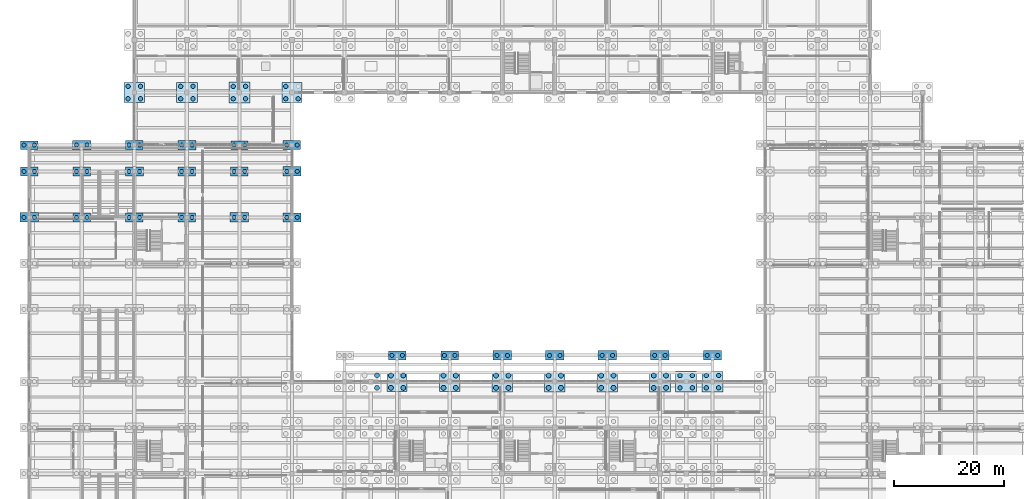
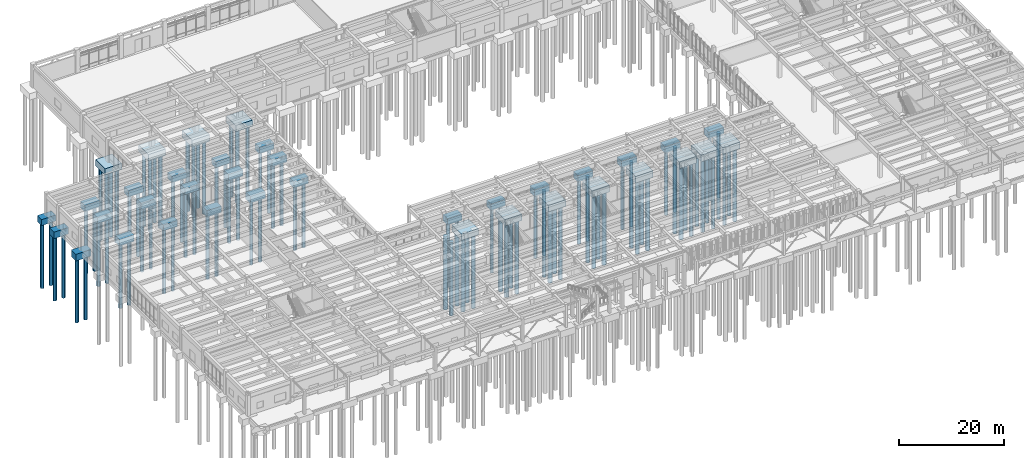
# One storey, part 4 of 102: 99 piles, 37 footings.
"""IFC4 building model written with IfcOpenShell, lengths in metres."""

from ifc_helpers import new_model, si_unit, direction, frame, origin, origin_2d, place, context, subcontext, project, spatial, rectangle, circle, extrude, material, material_profile, profile_set, type_object, element, save


model = new_model("IFC4")

# Units and contexts
model_context = context("Model", 3, precision=1e-05, world=origin(), true_north=direction((0.0, 1.0)))
body_context = subcontext(model_context, "Body", "Model", "MODEL_VIEW")
ifc_project = project(units=[si_unit("LENGTHUNIT", "METRE"), si_unit("AREAUNIT", "SQUARE_METRE"), si_unit("VOLUMEUNIT", "CUBIC_METRE"), si_unit("PLANEANGLEUNIT", "RADIAN"), si_unit("MASSUNIT", "GRAM", prefix="KILO")], contexts=[model_context])

# Site, building, storey
site_placement = place(None, origin())
site = spatial("IfcSite", under=ifc_project, at=site_placement, CompositionType="ELEMENT")
building_placement = place(site_placement, origin())
building = spatial("IfcBuilding", under=site, at=building_placement, Name="Kolvemor Railside Polytechnic", CompositionType="ELEMENT")
storey_placement = place(building_placement, origin())
storey = spatial("IfcBuildingStorey", under=building, at=storey_placement, Name="L00", CompositionType="ELEMENT", Elevation=0.0)

# Footings
ifc_material_1 = material(Name="Concrete C40/50", Category="concrete")
footing_type_1 = type_object("IfcFootingType", Name="FTG-PC-2P-A", PredefinedType="PILE_CAP", material=ifc_material_1)
for number, where, z_axis, x_axis, name in (
    (1, (0.0, 76.800048828125, -1.5), (0.0, 0.0, 1.0), (1.0, 0.0, 0.0), "Pile Cap PC-010"),
    (2, (9.60009765625, 68.39990234375, -1.5), (0.0, 0.0, 1.0), (1.0, 0.0, 0.0), "Pile Cap PC-020"),
    (3, (28.800048828125, 68.39990234375, -1.5), (0.0, 0.0, 1.0), (1.0, 0.0, 0.0), "Pile Cap PC-045"),
    (4, (38.39990234375, 76.800048828125, -1.5), (0.0, 0.0, 1.0), (1.0, 0.0, 0.0), "Pile Cap PC-060"),
    (5, (48.0, 81.60009765625, -1.5), (0.0, 0.0, 1.0), (1.0, 0.0, 0.0), "Pile Cap PC-075"),
    (6, (67.199951171875, 43.199951171875, -1.5), (0.0, 0.0, 1.0), (1.0, 0.0, 0.0), "Pile Cap PC-100"),
    (7, (76.800048828125, 43.199951171875, -1.5), (0.0, 0.0, 1.0), (1.0, 0.0, 0.0), "Pile Cap PC-114"),
):
    element("IfcFooting", number, at=place(storey_placement, frame(where, z_axis=z_axis, x_axis=x_axis)), inside=storey, type_object=footing_type_1, Name=name, PredefinedType="PILE_CAP", context=body_context, shape_type="SweptSolid", body=[
        extrude(rectangle(XDim=3.199951171875, YDim=1.64990234375, at=origin_2d()), origin(), (0.0, 0.0, 1.0), 1.5),
    ])
ifc_material_2 = material(Name="Concrete C40/50", Category="concrete")
footing_type_2 = type_object("IfcFootingType", Name="FTG-PC-2P-B", PredefinedType="PILE_CAP", material=ifc_material_2)
for number, where, z_axis, x_axis, name in (
    (8, (0.0, 81.60009765625, -1.39990234375), (0.0, 0.0, 1.0), (1.0, 0.0, 0.0), "Pile Cap PC-011"),
    (9, (9.60009765625, 76.800048828125, -1.39990234375), (0.0, 0.0, 1.0), (1.0, 0.0, 0.0), "Pile Cap PC-021"),
    (10, (19.199951171875, 68.39990234375, -1.39990234375), (0.0, 0.0, 1.0), (1.0, 0.0, 0.0), "Pile Cap PC-031"),
    (11, (28.800048828125, 76.800048828125, -1.39990234375), (0.0, 0.0, 1.0), (1.0, 0.0, 0.0), "Pile Cap PC-046"),
    (12, (38.39990234375, 81.60009765625, -1.39990234375), (0.0, 0.0, 1.0), (1.0, 0.0, 0.0), "Pile Cap PC-061"),
):
    element("IfcFooting", number, at=place(storey_placement, frame(where, z_axis=z_axis, x_axis=x_axis)), inside=storey, type_object=footing_type_2, Name=name, PredefinedType="PILE_CAP", context=body_context, shape_type="SweptSolid", body=[
        extrude(rectangle(XDim=3.14990234375, YDim=1.60009765625, at=origin_2d()), origin(), (0.0, 0.0, 1.0), 1.39990234375),
    ])
ifc_material_3 = material(Name="Concrete C40/50", Category="concrete")
footing_type_3 = type_object("IfcFootingType", Name="FTG-PC-2P-C", PredefinedType="PILE_CAP", material=ifc_material_3)
for number, where, z_axis, x_axis, name in (
    (13, (9.60009765625, 81.60009765625, -1.5), (0.0, 0.0, 1.0), (1.0, 0.0, 0.0), "Pile Cap PC-022"),
    (14, (19.199951171875, 76.800048828125, -1.5), (0.0, 0.0, 1.0), (1.0, 0.0, 0.0), "Pile Cap PC-032"),
    (15, (28.800048828125, 81.60009765625, -1.5), (0.0, 0.0, 1.0), (1.0, 0.0, 0.0), "Pile Cap PC-047"),
):
    element("IfcFooting", number, at=place(storey_placement, frame(where, z_axis=z_axis, x_axis=x_axis)), inside=storey, type_object=footing_type_3, Name=name, PredefinedType="PILE_CAP", context=body_context, shape_type="SweptSolid", body=[
        extrude(rectangle(XDim=3.300048828125, YDim=1.699951171875, at=origin_2d()), origin(), (0.0, 0.0, 1.0), 1.5),
    ])
ifc_material_4 = material(Name="Concrete C40/50", Category="concrete")
footing_type_4 = type_object("IfcFootingType", Name="FTG-PC-2P-D", PredefinedType="PILE_CAP", material=ifc_material_4)
for number, where, z_axis, x_axis, name in (
    (16, (19.199951171875, 81.60009765625, -1.4501953125), (0.0, 0.0, 1.0), (1.0, 0.0, 0.0), "Pile Cap PC-033"),
    (17, (48.0, 68.39990234375, -1.4501953125), (0.0, 0.0, 1.0), (1.0, 0.0, 0.0), "Pile Cap PC-073"),
):
    element("IfcFooting", number, at=place(storey_placement, frame(where, z_axis=z_axis, x_axis=x_axis)), inside=storey, type_object=footing_type_4, Name=name, PredefinedType="PILE_CAP", context=body_context, shape_type="SweptSolid", body=[
        extrude(rectangle(XDim=3.25, YDim=1.64990234375, at=origin_2d()), origin(), (0.0, 0.0, 1.0), 1.449951171875),
    ])
ifc_material_5 = material(Name="Concrete C40/50", Category="concrete")
footing_type_5 = type_object("IfcFootingType", Name="FTG-PC-2P-E", PredefinedType="PILE_CAP", material=ifc_material_5)
for number, where, z_axis, x_axis, name in (
    (18, (0.0, 68.39990234375, -1.5498046875), (0.0, 0.0, 1.0), (1.0, 0.0, 0.0), "Pile Cap PC-009"),
    (19, (38.39990234375, 68.39990234375, -1.5498046875), (0.0, 0.0, 1.0), (1.0, 0.0, 0.0), "Pile Cap PC-059"),
    (20, (48.0, 76.800048828125, -1.5498046875), (0.0, 0.0, 1.0), (1.0, 0.0, 0.0), "Pile Cap PC-074"),
    (21, (86.39990234375, 43.199951171875, -1.5498046875), (0.0, 0.0, 1.0), (1.0, 0.0, 0.0), "Pile Cap PC-128"),
    (22, (96.0, 43.199951171875, -1.5498046875), (0.0, 0.0, 1.0), (1.0, 0.0, 0.0), "Pile Cap PC-142"),
    (23, (105.60009765625, 43.199951171875, -1.5498046875), (0.0, 0.0, 1.0), (1.0, 0.0, 0.0), "Pile Cap PC-152"),
    (24, (115.199951171875, 43.199951171875, -1.5498046875), (0.0, 0.0, 1.0), (1.0, 0.0, 0.0), "Pile Cap PC-162"),
    (25, (124.800048828125, 43.199951171875, -1.5498046875), (0.0, 0.0, 1.0), (1.0, 0.0, 0.0), "Pile Cap PC-177"),
):
    element("IfcFooting", number, at=place(storey_placement, frame(where, z_axis=z_axis, x_axis=x_axis)), inside=storey, type_object=footing_type_5, Name=name, PredefinedType="PILE_CAP", context=body_context, shape_type="SweptSolid", body=[
        extrude(rectangle(XDim=3.35009765625, YDim=1.75, at=origin_2d()), origin(), (0.0, 0.0, 1.0), 1.550048828125),
    ])
ifc_material_6 = material(Name="Concrete C40/50", Category="concrete")
footing_type_6 = type_object("IfcFootingType", Name="FTG-PC-4P-B", PredefinedType="PILE_CAP", material=ifc_material_6)
footing_placement = place(storey_placement, frame((48.0, 91.199951171875, -1.5), z_axis=(0.0, 0.0, 1.0), x_axis=(1.0, 0.0, 0.0)))
element("IfcFooting", 26, at=footing_placement, inside=storey, type_object=footing_type_6, Name="Pile Cap PC-076", PredefinedType="PILE_CAP", context=body_context, shape_type="SweptSolid", body=[
    extrude(rectangle(XDim=3.64990234375, YDim=3.64990234375, at=origin_2d()), origin(), (0.0, 0.0, 1.0), 1.5),
])
ifc_material_7 = material(Name="Concrete C40/50", Category="concrete")
footing_type_7 = type_object("IfcFootingType", Name="FTG-PC-4P-C", PredefinedType="PILE_CAP", material=ifc_material_7)
for number, where, z_axis, x_axis, name in (
    (27, (38.39990234375, 91.199951171875, -1.60009765625), (0.0, 0.0, 1.0), (1.0, 0.0, 0.0), "Pile Cap PC-062"),
    (28, (120.0, 38.39990234375, -1.60009765625), (0.0, 0.0, 1.0), (1.0, 0.0, 0.0), "Pile Cap PC-170"),
):
    element("IfcFooting", number, at=place(storey_placement, frame(where, z_axis=z_axis, x_axis=x_axis)), inside=storey, type_object=footing_type_7, Name=name, PredefinedType="PILE_CAP", context=body_context, shape_type="SweptSolid", body=[
        extrude(rectangle(XDim=3.85009765625, YDim=3.85009765625, at=origin_2d()), origin(), (0.0, 0.0, 1.0), 1.60009765625),
    ])
ifc_material_8 = material(Name="Concrete C40/50", Category="concrete")
footing_type_8 = type_object("IfcFootingType", Name="FTG-PC-4P-D", PredefinedType="PILE_CAP", material=ifc_material_8)
for number, where, z_axis, x_axis, name in (
    (29, (28.800048828125, 91.199951171875, -1.5498046875), (0.0, 0.0, 1.0), (1.0, 0.0, 0.0), "Pile Cap PC-048"),
    (30, (86.39990234375, 38.39990234375, -1.5498046875), (0.0, 0.0, 1.0), (1.0, 0.0, 0.0), "Pile Cap PC-127"),
    (31, (96.0, 38.39990234375, -1.5498046875), (0.0, 0.0, 1.0), (1.0, 0.0, 0.0), "Pile Cap PC-141"),
    (32, (105.60009765625, 38.39990234375, -1.5498046875), (0.0, 0.0, 1.0), (1.0, 0.0, 0.0), "Pile Cap PC-151"),
    (33, (115.199951171875, 38.39990234375, -1.5498046875), (0.0, 0.0, 1.0), (1.0, 0.0, 0.0), "Pile Cap PC-161"),
    (34, (124.800048828125, 38.39990234375, -1.5498046875), (0.0, 0.0, 1.0), (1.0, 0.0, 0.0), "Pile Cap PC-176"),
):
    element("IfcFooting", number, at=place(storey_placement, frame(where, z_axis=z_axis, x_axis=x_axis)), inside=storey, type_object=footing_type_8, Name=name, PredefinedType="PILE_CAP", context=body_context, shape_type="SweptSolid", body=[
        extrude(rectangle(XDim=3.800048828125, YDim=3.699951171875, at=origin_2d()), origin(), (0.0, 0.0, 1.0), 1.550048828125),
    ])
ifc_material_9 = material(Name="Concrete C40/50", Category="concrete")
footing_type_9 = type_object("IfcFootingType", Name="FTG-PC-4P-E", PredefinedType="PILE_CAP", material=ifc_material_9)
for number, where, z_axis, x_axis, name in (
    (35, (19.199951171875, 91.199951171875, -1.4501953125), (0.0, 0.0, 1.0), (1.0, 0.0, 0.0), "Pile Cap PC-034"),
    (36, (67.199951171875, 38.39990234375, -1.4501953125), (0.0, 0.0, 1.0), (1.0, 0.0, 0.0), "Pile Cap PC-099"),
    (37, (76.800048828125, 38.39990234375, -1.4501953125), (0.0, 0.0, 1.0), (1.0, 0.0, 0.0), "Pile Cap PC-113"),
):
    element("IfcFooting", number, at=place(storey_placement, frame(where, z_axis=z_axis, x_axis=x_axis)), inside=storey, type_object=footing_type_9, Name=name, PredefinedType="PILE_CAP", context=body_context, shape_type="SweptSolid", body=[
        extrude(rectangle(XDim=3.699951171875, YDim=3.64990234375, at=origin_2d()), origin(), (0.0, 0.0, 1.0), 1.449951171875),
    ])

# Piles
ifc_material_10 = material(Name="Concrete C40/50", Category="concrete")
ifc_material_profile_1 = material_profile(ifc_material_10, circle(Radius=0.375, at=origin_2d()), Name="BP750")
ifc_profile_set_1 = profile_set([ifc_material_profile_1], Name="Concrete C40/50")
pile_type_1 = type_object("IfcPileType", Name="PIL-BP750", PredefinedType="BORED", material=ifc_profile_set_1)
for number, where, z_axis, x_axis, name in (
    (38, (-0.9599609375, 68.39990234375, -1.429931640625), (0.0, 0.0, -1.0), (1.0, 0.0, 0.0), "Bored Pile BP750-009-1"),
    (39, (0.9599609375, 68.39990234375, -1.429931640625), (0.0, 0.0, -1.0), (1.0, 0.0, 0.0), "Bored Pile BP750-009-2"),
):
    element("IfcPile", number, at=place(storey_placement, frame(where, z_axis=z_axis, x_axis=x_axis)), inside=storey, type_object=pile_type_1, Name=name, PredefinedType="BORED", context=body_context, shape_type="SweptSolid", body=[
        extrude(circle(Radius=0.375, at=origin_2d()), origin(), (0.0, 0.0, 1.0), 15.070068359375),
    ])
for number, where, z_axis, x_axis, name in (
    (40, (-0.9599609375, 76.800048828125, -1.3798828125), (0.0, 0.0, -1.0), (1.0, 0.0, 0.0), "Bored Pile BP750-010-1"),
    (41, (0.9599609375, 76.800048828125, -1.3798828125), (0.0, 0.0, -1.0), (1.0, 0.0, 0.0), "Bored Pile BP750-010-2"),
):
    element("IfcPile", number, at=place(storey_placement, frame(where, z_axis=z_axis, x_axis=x_axis)), inside=storey, type_object=pile_type_1, Name=name, PredefinedType="BORED", context=body_context, shape_type="SweptSolid", body=[
        extrude(circle(Radius=0.375, at=origin_2d()), origin(), (0.0, 0.0, 1.0), 15.1201171875),
    ])
for number, where, z_axis, x_axis, name in (
    (42, (-0.9599609375, 81.60009765625, -1.280029296875), (0.0, 0.0, -1.0), (1.0, 0.0, 0.0), "Bored Pile BP750-011-1"),
    (43, (0.9599609375, 81.60009765625, -1.280029296875), (0.0, 0.0, -1.0), (1.0, 0.0, 0.0), "Bored Pile BP750-011-2"),
):
    element("IfcPile", number, at=place(storey_placement, frame(where, z_axis=z_axis, x_axis=x_axis)), inside=storey, type_object=pile_type_1, Name=name, PredefinedType="BORED", context=body_context, shape_type="SweptSolid", body=[
        extrude(circle(Radius=0.375, at=origin_2d()), origin(), (0.0, 0.0, 1.0), 15.219970703125),
    ])
for number, where, z_axis, x_axis, name in (
    (44, (8.639892578125, 68.39990234375, -1.3798828125), (0.0, 0.0, -1.0), (1.0, 0.0, 0.0), "Bored Pile BP750-020-1"),
    (45, (10.56005859375, 68.39990234375, -1.3798828125), (0.0, 0.0, -1.0), (1.0, 0.0, 0.0), "Bored Pile BP750-020-2"),
):
    element("IfcPile", number, at=place(storey_placement, frame(where, z_axis=z_axis, x_axis=x_axis)), inside=storey, type_object=pile_type_1, Name=name, PredefinedType="BORED", context=body_context, shape_type="SweptSolid", body=[
        extrude(circle(Radius=0.375, at=origin_2d()), origin(), (0.0, 0.0, 1.0), 15.1201171875),
    ])
for number, where, z_axis, x_axis, name in (
    (46, (8.639892578125, 76.800048828125, -1.280029296875), (0.0, 0.0, -1.0), (1.0, 0.0, 0.0), "Bored Pile BP750-021-1"),
    (47, (10.56005859375, 76.800048828125, -1.280029296875), (0.0, 0.0, -1.0), (1.0, 0.0, 0.0), "Bored Pile BP750-021-2"),
):
    element("IfcPile", number, at=place(storey_placement, frame(where, z_axis=z_axis, x_axis=x_axis)), inside=storey, type_object=pile_type_1, Name=name, PredefinedType="BORED", context=body_context, shape_type="SweptSolid", body=[
        extrude(circle(Radius=0.375, at=origin_2d()), origin(), (0.0, 0.0, 1.0), 15.219970703125),
    ])
for number, where, z_axis, x_axis, name in (
    (48, (8.639892578125, 81.60009765625, -1.3798828125), (0.0, 0.0, -1.0), (1.0, 0.0, 0.0), "Bored Pile BP750-022-1"),
    (49, (10.56005859375, 81.60009765625, -1.3798828125), (0.0, 0.0, -1.0), (1.0, 0.0, 0.0), "Bored Pile BP750-022-2"),
):
    element("IfcPile", number, at=place(storey_placement, frame(where, z_axis=z_axis, x_axis=x_axis)), inside=storey, type_object=pile_type_1, Name=name, PredefinedType="BORED", context=body_context, shape_type="SweptSolid", body=[
        extrude(circle(Radius=0.375, at=origin_2d()), origin(), (0.0, 0.0, 1.0), 15.1201171875),
    ])
for number, where, z_axis, x_axis, name in (
    (50, (18.239990234375, 68.39990234375, -1.280029296875), (0.0, 0.0, -1.0), (1.0, 0.0, 0.0), "Bored Pile BP750-031-1"),
    (51, (20.159912109375, 68.39990234375, -1.280029296875), (0.0, 0.0, -1.0), (1.0, 0.0, 0.0), "Bored Pile BP750-031-2"),
):
    element("IfcPile", number, at=place(storey_placement, frame(where, z_axis=z_axis, x_axis=x_axis)), inside=storey, type_object=pile_type_1, Name=name, PredefinedType="BORED", context=body_context, shape_type="SweptSolid", body=[
        extrude(circle(Radius=0.375, at=origin_2d()), origin(), (0.0, 0.0, 1.0), 15.219970703125),
    ])
for number, where, z_axis, x_axis, name in (
    (52, (18.239990234375, 76.800048828125, -1.3798828125), (0.0, 0.0, -1.0), (1.0, 0.0, 0.0), "Bored Pile BP750-032-1"),
    (53, (20.159912109375, 76.800048828125, -1.3798828125), (0.0, 0.0, -1.0), (1.0, 0.0, 0.0), "Bored Pile BP750-032-2"),
):
    element("IfcPile", number, at=place(storey_placement, frame(where, z_axis=z_axis, x_axis=x_axis)), inside=storey, type_object=pile_type_1, Name=name, PredefinedType="BORED", context=body_context, shape_type="SweptSolid", body=[
        extrude(circle(Radius=0.375, at=origin_2d()), origin(), (0.0, 0.0, 1.0), 15.1201171875),
    ])
for number, where, z_axis, x_axis, name in (
    (54, (18.239990234375, 81.60009765625, -1.330078125), (0.0, 0.0, -1.0), (1.0, 0.0, 0.0), "Bored Pile BP750-033-1"),
    (55, (20.159912109375, 81.60009765625, -1.330078125), (0.0, 0.0, -1.0), (1.0, 0.0, 0.0), "Bored Pile BP750-033-2"),
):
    element("IfcPile", number, at=place(storey_placement, frame(where, z_axis=z_axis, x_axis=x_axis)), inside=storey, type_object=pile_type_1, Name=name, PredefinedType="BORED", context=body_context, shape_type="SweptSolid", body=[
        extrude(circle(Radius=0.375, at=origin_2d()), origin(), (0.0, 0.0, 1.0), 15.169921875),
    ])
for number, where, z_axis, x_axis, name in (
    (56, (27.840087890625, 68.39990234375, -1.3798828125), (0.0, 0.0, -1.0), (1.0, 0.0, 0.0), "Bored Pile BP750-045-1"),
    (57, (29.760009765625, 68.39990234375, -1.3798828125), (0.0, 0.0, -1.0), (1.0, 0.0, 0.0), "Bored Pile BP750-045-2"),
):
    element("IfcPile", number, at=place(storey_placement, frame(where, z_axis=z_axis, x_axis=x_axis)), inside=storey, type_object=pile_type_1, Name=name, PredefinedType="BORED", context=body_context, shape_type="SweptSolid", body=[
        extrude(circle(Radius=0.375, at=origin_2d()), origin(), (0.0, 0.0, 1.0), 15.1201171875),
    ])
for number, where, z_axis, x_axis, name in (
    (58, (27.840087890625, 76.800048828125, -1.280029296875), (0.0, 0.0, -1.0), (1.0, 0.0, 0.0), "Bored Pile BP750-046-1"),
    (59, (29.760009765625, 76.800048828125, -1.280029296875), (0.0, 0.0, -1.0), (1.0, 0.0, 0.0), "Bored Pile BP750-046-2"),
):
    element("IfcPile", number, at=place(storey_placement, frame(where, z_axis=z_axis, x_axis=x_axis)), inside=storey, type_object=pile_type_1, Name=name, PredefinedType="BORED", context=body_context, shape_type="SweptSolid", body=[
        extrude(circle(Radius=0.375, at=origin_2d()), origin(), (0.0, 0.0, 1.0), 15.219970703125),
    ])
for number, where, z_axis, x_axis, name in (
    (60, (27.840087890625, 81.60009765625, -1.3798828125), (0.0, 0.0, -1.0), (1.0, 0.0, 0.0), "Bored Pile BP750-047-1"),
    (61, (29.760009765625, 81.60009765625, -1.3798828125), (0.0, 0.0, -1.0), (1.0, 0.0, 0.0), "Bored Pile BP750-047-2"),
):
    element("IfcPile", number, at=place(storey_placement, frame(where, z_axis=z_axis, x_axis=x_axis)), inside=storey, type_object=pile_type_1, Name=name, PredefinedType="BORED", context=body_context, shape_type="SweptSolid", body=[
        extrude(circle(Radius=0.375, at=origin_2d()), origin(), (0.0, 0.0, 1.0), 15.1201171875),
    ])
for number, where, z_axis, x_axis, name in (
    (62, (37.43994140625, 68.39990234375, -1.429931640625), (0.0, 0.0, -1.0), (1.0, 0.0, 0.0), "Bored Pile BP750-059-1"),
    (63, (39.360107421875, 68.39990234375, -1.429931640625), (0.0, 0.0, -1.0), (1.0, 0.0, 0.0), "Bored Pile BP750-059-2"),
):
    element("IfcPile", number, at=place(storey_placement, frame(where, z_axis=z_axis, x_axis=x_axis)), inside=storey, type_object=pile_type_1, Name=name, PredefinedType="BORED", context=body_context, shape_type="SweptSolid", body=[
        extrude(circle(Radius=0.375, at=origin_2d()), origin(), (0.0, 0.0, 1.0), 15.070068359375),
    ])
for number, where, z_axis, x_axis, name in (
    (64, (37.43994140625, 76.800048828125, -1.3798828125), (0.0, 0.0, -1.0), (1.0, 0.0, 0.0), "Bored Pile BP750-060-1"),
    (65, (39.360107421875, 76.800048828125, -1.3798828125), (0.0, 0.0, -1.0), (1.0, 0.0, 0.0), "Bored Pile BP750-060-2"),
):
    element("IfcPile", number, at=place(storey_placement, frame(where, z_axis=z_axis, x_axis=x_axis)), inside=storey, type_object=pile_type_1, Name=name, PredefinedType="BORED", context=body_context, shape_type="SweptSolid", body=[
        extrude(circle(Radius=0.375, at=origin_2d()), origin(), (0.0, 0.0, 1.0), 15.1201171875),
    ])
for number, where, z_axis, x_axis, name in (
    (66, (37.43994140625, 81.60009765625, -1.280029296875), (0.0, 0.0, -1.0), (1.0, 0.0, 0.0), "Bored Pile BP750-061-1"),
    (67, (39.360107421875, 81.60009765625, -1.280029296875), (0.0, 0.0, -1.0), (1.0, 0.0, 0.0), "Bored Pile BP750-061-2"),
):
    element("IfcPile", number, at=place(storey_placement, frame(where, z_axis=z_axis, x_axis=x_axis)), inside=storey, type_object=pile_type_1, Name=name, PredefinedType="BORED", context=body_context, shape_type="SweptSolid", body=[
        extrude(circle(Radius=0.375, at=origin_2d()), origin(), (0.0, 0.0, 1.0), 15.219970703125),
    ])
for number, where, z_axis, x_axis, name in (
    (68, (47.0400390625, 68.39990234375, -1.330078125), (0.0, 0.0, -1.0), (1.0, 0.0, 0.0), "Bored Pile BP750-073-1"),
    (69, (48.9599609375, 68.39990234375, -1.330078125), (0.0, 0.0, -1.0), (1.0, 0.0, 0.0), "Bored Pile BP750-073-2"),
):
    element("IfcPile", number, at=place(storey_placement, frame(where, z_axis=z_axis, x_axis=x_axis)), inside=storey, type_object=pile_type_1, Name=name, PredefinedType="BORED", context=body_context, shape_type="SweptSolid", body=[
        extrude(circle(Radius=0.375, at=origin_2d()), origin(), (0.0, 0.0, 1.0), 15.169921875),
    ])
for number, where, z_axis, x_axis, name in (
    (70, (47.0400390625, 76.800048828125, -1.429931640625), (0.0, 0.0, -1.0), (1.0, 0.0, 0.0), "Bored Pile BP750-074-1"),
    (71, (48.9599609375, 76.800048828125, -1.429931640625), (0.0, 0.0, -1.0), (1.0, 0.0, 0.0), "Bored Pile BP750-074-2"),
):
    element("IfcPile", number, at=place(storey_placement, frame(where, z_axis=z_axis, x_axis=x_axis)), inside=storey, type_object=pile_type_1, Name=name, PredefinedType="BORED", context=body_context, shape_type="SweptSolid", body=[
        extrude(circle(Radius=0.375, at=origin_2d()), origin(), (0.0, 0.0, 1.0), 15.070068359375),
    ])
for number, where, z_axis, x_axis, name in (
    (72, (47.0400390625, 81.60009765625, -1.3798828125), (0.0, 0.0, -1.0), (1.0, 0.0, 0.0), "Bored Pile BP750-075-1"),
    (73, (48.9599609375, 81.60009765625, -1.3798828125), (0.0, 0.0, -1.0), (1.0, 0.0, 0.0), "Bored Pile BP750-075-2"),
    (74, (66.239990234375, 43.199951171875, -1.3798828125), (0.0, 0.0, -1.0), (1.0, 0.0, 0.0), "Bored Pile BP750-100-1"),
    (75, (68.159912109375, 43.199951171875, -1.3798828125), (0.0, 0.0, -1.0), (1.0, 0.0, 0.0), "Bored Pile BP750-100-2"),
    (76, (75.840087890625, 43.199951171875, -1.3798828125), (0.0, 0.0, -1.0), (1.0, 0.0, 0.0), "Bored Pile BP750-114-1"),
    (77, (77.760009765625, 43.199951171875, -1.3798828125), (0.0, 0.0, -1.0), (1.0, 0.0, 0.0), "Bored Pile BP750-114-2"),
):
    element("IfcPile", number, at=place(storey_placement, frame(where, z_axis=z_axis, x_axis=x_axis)), inside=storey, type_object=pile_type_1, Name=name, PredefinedType="BORED", context=body_context, shape_type="SweptSolid", body=[
        extrude(circle(Radius=0.375, at=origin_2d()), origin(), (0.0, 0.0, 1.0), 15.1201171875),
    ])
for number, where, z_axis, x_axis, name in (
    (78, (85.43994140625, 43.199951171875, -1.429931640625), (0.0, 0.0, -1.0), (1.0, 0.0, 0.0), "Bored Pile BP750-128-1"),
    (79, (87.360107421875, 43.199951171875, -1.429931640625), (0.0, 0.0, -1.0), (1.0, 0.0, 0.0), "Bored Pile BP750-128-2"),
    (80, (95.0400390625, 43.199951171875, -1.429931640625), (0.0, 0.0, -1.0), (1.0, 0.0, 0.0), "Bored Pile BP750-142-1"),
    (81, (96.9599609375, 43.199951171875, -1.429931640625), (0.0, 0.0, -1.0), (1.0, 0.0, 0.0), "Bored Pile BP750-142-2"),
    (82, (104.639892578125, 43.199951171875, -1.429931640625), (0.0, 0.0, -1.0), (1.0, 0.0, 0.0), "Bored Pile BP750-152-1"),
    (83, (106.56005859375, 43.199951171875, -1.429931640625), (0.0, 0.0, -1.0), (1.0, 0.0, 0.0), "Bored Pile BP750-152-2"),
    (84, (114.239990234375, 43.199951171875, -1.429931640625), (0.0, 0.0, -1.0), (1.0, 0.0, 0.0), "Bored Pile BP750-162-1"),
    (85, (116.159912109375, 43.199951171875, -1.429931640625), (0.0, 0.0, -1.0), (1.0, 0.0, 0.0), "Bored Pile BP750-162-2"),
    (86, (123.840087890625, 43.199951171875, -1.429931640625), (0.0, 0.0, -1.0), (1.0, 0.0, 0.0), "Bored Pile BP750-177-1"),
    (87, (125.760009765625, 43.199951171875, -1.429931640625), (0.0, 0.0, -1.0), (1.0, 0.0, 0.0), "Bored Pile BP750-177-2"),
):
    element("IfcPile", number, at=place(storey_placement, frame(where, z_axis=z_axis, x_axis=x_axis)), inside=storey, type_object=pile_type_1, Name=name, PredefinedType="BORED", context=body_context, shape_type="SweptSolid", body=[
        extrude(circle(Radius=0.375, at=origin_2d()), origin(), (0.0, 0.0, 1.0), 15.070068359375),
    ])
ifc_material_11 = material(Name="Concrete C40/50", Category="concrete")
ifc_material_profile_2 = material_profile(ifc_material_11, circle(Radius=0.39990234375, at=origin_2d()), Name="BP800")
ifc_profile_set_2 = profile_set([ifc_material_profile_2], Name="Concrete C40/50")
pile_type_2 = type_object("IfcPileType", Name="PIL-BP800", PredefinedType="BORED", material=ifc_profile_set_2)
for number, where, z_axis, x_axis, name in (
    (88, (18.070068359375, 90.070068359375, -1.330078125), (0.0, 0.0, -1.0), (1.0, 0.0, 0.0), "Bored Pile PIL-BP800-034-1"),
    (89, (18.070068359375, 92.330078125, -1.330078125), (0.0, 0.0, -1.0), (1.0, 0.0, 0.0), "Bored Pile PIL-BP800-034-2"),
    (90, (20.330078125, 90.070068359375, -1.330078125), (0.0, 0.0, -1.0), (1.0, 0.0, 0.0), "Bored Pile PIL-BP800-034-3"),
    (91, (20.330078125, 92.330078125, -1.330078125), (0.0, 0.0, -1.0), (1.0, 0.0, 0.0), "Bored Pile PIL-BP800-034-4"),
):
    element("IfcPile", number, at=place(storey_placement, frame(where, z_axis=z_axis, x_axis=x_axis)), inside=storey, type_object=pile_type_2, Name=name, PredefinedType="BORED", context=body_context, shape_type="SweptSolid", body=[
        extrude(circle(Radius=0.39990234375, at=origin_2d()), origin(), (0.0, 0.0, 1.0), 17.169921875),
    ])
for number, where, z_axis, x_axis, name in (
    (92, (27.669921875, 90.070068359375, -1.429931640625), (0.0, 0.0, -1.0), (1.0, 0.0, 0.0), "Bored Pile PIL-BP800-048-1"),
    (93, (27.669921875, 92.330078125, -1.429931640625), (0.0, 0.0, -1.0), (1.0, 0.0, 0.0), "Bored Pile PIL-BP800-048-2"),
    (94, (29.929931640625, 90.070068359375, -1.429931640625), (0.0, 0.0, -1.0), (1.0, 0.0, 0.0), "Bored Pile PIL-BP800-048-3"),
    (95, (29.929931640625, 92.330078125, -1.429931640625), (0.0, 0.0, -1.0), (1.0, 0.0, 0.0), "Bored Pile PIL-BP800-048-4"),
):
    element("IfcPile", number, at=place(storey_placement, frame(where, z_axis=z_axis, x_axis=x_axis)), inside=storey, type_object=pile_type_2, Name=name, PredefinedType="BORED", context=body_context, shape_type="SweptSolid", body=[
        extrude(circle(Radius=0.39990234375, at=origin_2d()), origin(), (0.0, 0.0, 1.0), 17.070068359375),
    ])
for number, where, z_axis, x_axis, name in (
    (96, (37.27001953125, 90.070068359375, -1.47998046875), (0.0, 0.0, -1.0), (1.0, 0.0, 0.0), "Bored Pile PIL-BP800-062-1"),
    (97, (37.27001953125, 92.330078125, -1.47998046875), (0.0, 0.0, -1.0), (1.0, 0.0, 0.0), "Bored Pile PIL-BP800-062-2"),
    (98, (39.530029296875, 90.070068359375, -1.47998046875), (0.0, 0.0, -1.0), (1.0, 0.0, 0.0), "Bored Pile PIL-BP800-062-3"),
    (99, (39.530029296875, 92.330078125, -1.47998046875), (0.0, 0.0, -1.0), (1.0, 0.0, 0.0), "Bored Pile PIL-BP800-062-4"),
):
    element("IfcPile", number, at=place(storey_placement, frame(where, z_axis=z_axis, x_axis=x_axis)), inside=storey, type_object=pile_type_2, Name=name, PredefinedType="BORED", context=body_context, shape_type="SweptSolid", body=[
        extrude(circle(Radius=0.39990234375, at=origin_2d()), origin(), (0.0, 0.0, 1.0), 17.02001953125),
    ])
for number, where, z_axis, x_axis, name in (
    (100, (46.8701171875, 90.070068359375, -1.3798828125), (0.0, 0.0, -1.0), (1.0, 0.0, 0.0), "Bored Pile PIL-BP800-076-1"),
    (101, (46.8701171875, 92.330078125, -1.3798828125), (0.0, 0.0, -1.0), (1.0, 0.0, 0.0), "Bored Pile PIL-BP800-076-2"),
    (102, (49.1298828125, 90.070068359375, -1.3798828125), (0.0, 0.0, -1.0), (1.0, 0.0, 0.0), "Bored Pile PIL-BP800-076-3"),
):
    element("IfcPile", number, at=place(storey_placement, frame(where, z_axis=z_axis, x_axis=x_axis)), inside=storey, type_object=pile_type_2, Name=name, PredefinedType="BORED", context=body_context, shape_type="SweptSolid", body=[
        extrude(circle(Radius=0.39990234375, at=origin_2d()), origin(), (0.0, 0.0, 1.0), 17.1201171875),
    ])
for number, where, z_axis, x_axis, name in (
    (103, (118.8701171875, 37.27001953125, -1.47998046875), (0.0, 0.0, -1.0), (1.0, 0.0, 0.0), "Bored Pile PIL-BP800-170-1"),
    (104, (118.8701171875, 39.530029296875, -1.47998046875), (0.0, 0.0, -1.0), (1.0, 0.0, 0.0), "Bored Pile PIL-BP800-170-2"),
    (105, (121.1298828125, 37.27001953125, -1.47998046875), (0.0, 0.0, -1.0), (1.0, 0.0, 0.0), "Bored Pile PIL-BP800-170-3"),
    (106, (121.1298828125, 39.530029296875, -1.47998046875), (0.0, 0.0, -1.0), (1.0, 0.0, 0.0), "Bored Pile PIL-BP800-170-4"),
):
    element("IfcPile", number, at=place(storey_placement, frame(where, z_axis=z_axis, x_axis=x_axis)), inside=storey, type_object=pile_type_2, Name=name, PredefinedType="BORED", context=body_context, shape_type="SweptSolid", body=[
        extrude(circle(Radius=0.39990234375, at=origin_2d()), origin(), (0.0, 0.0, 1.0), 17.02001953125),
    ])
for number, where, z_axis, x_axis, name in (
    (107, (123.669921875, 37.27001953125, -1.429931640625), (0.0, 0.0, -1.0), (1.0, 0.0, 0.0), "Bored Pile PIL-BP800-176-1"),
    (108, (123.669921875, 39.530029296875, -1.429931640625), (0.0, 0.0, -1.0), (1.0, 0.0, 0.0), "Bored Pile PIL-BP800-176-2"),
    (109, (125.929931640625, 37.27001953125, -1.429931640625), (0.0, 0.0, -1.0), (1.0, 0.0, 0.0), "Bored Pile PIL-BP800-176-3"),
    (110, (125.929931640625, 39.530029296875, -1.429931640625), (0.0, 0.0, -1.0), (1.0, 0.0, 0.0), "Bored Pile PIL-BP800-176-4"),
):
    element("IfcPile", number, at=place(storey_placement, frame(where, z_axis=z_axis, x_axis=x_axis)), inside=storey, type_object=pile_type_2, Name=name, PredefinedType="BORED", context=body_context, shape_type="SweptSolid", body=[
        extrude(circle(Radius=0.39990234375, at=origin_2d()), origin(), (0.0, 0.0, 1.0), 17.070068359375),
    ])
ifc_material_12 = material(Name="Concrete C40/50", Category="concrete")
ifc_material_profile_3 = material_profile(ifc_material_12, circle(Radius=0.449951171875, at=origin_2d()), Name="BP900")
ifc_profile_set_3 = profile_set([ifc_material_profile_3], Name="Concrete C40/50")
pile_type_3 = type_object("IfcPileType", Name="PIL-BP900", PredefinedType="BORED", material=ifc_profile_set_3)
for number, where, z_axis, x_axis, name in (
    (111, (63.530029296875, 37.27001953125, -1.429931640625), (0.0, 0.0, -1.0), (1.0, 0.0, 0.0), "Bored Pile PIL-BP900-093-3"),
    (112, (63.530029296875, 39.530029296875, -1.429931640625), (0.0, 0.0, -1.0), (1.0, 0.0, 0.0), "Bored Pile PIL-BP900-093-4"),
):
    element("IfcPile", number, at=place(storey_placement, frame(where, z_axis=z_axis, x_axis=x_axis)), inside=storey, type_object=pile_type_3, Name=name, PredefinedType="BORED", context=body_context, shape_type="SweptSolid", body=[
        extrude(circle(Radius=0.449951171875, at=origin_2d()), origin(), (0.0, 0.0, 1.0), 17.070068359375),
    ])
for number, where, z_axis, x_axis, name in (
    (113, (66.070068359375, 37.27001953125, -1.330078125), (0.0, 0.0, -1.0), (1.0, 0.0, 0.0), "Bored Pile PIL-BP900-099-1"),
    (114, (66.070068359375, 39.530029296875, -1.330078125), (0.0, 0.0, -1.0), (1.0, 0.0, 0.0), "Bored Pile PIL-BP900-099-2"),
    (115, (68.330078125, 37.27001953125, -1.330078125), (0.0, 0.0, -1.0), (1.0, 0.0, 0.0), "Bored Pile PIL-BP900-099-3"),
    (116, (68.330078125, 39.530029296875, -1.330078125), (0.0, 0.0, -1.0), (1.0, 0.0, 0.0), "Bored Pile PIL-BP900-099-4"),
    (117, (75.669921875, 37.27001953125, -1.330078125), (0.0, 0.0, -1.0), (1.0, 0.0, 0.0), "Bored Pile PIL-BP900-113-1"),
    (118, (75.669921875, 39.530029296875, -1.330078125), (0.0, 0.0, -1.0), (1.0, 0.0, 0.0), "Bored Pile PIL-BP900-113-2"),
    (119, (77.929931640625, 37.27001953125, -1.330078125), (0.0, 0.0, -1.0), (1.0, 0.0, 0.0), "Bored Pile PIL-BP900-113-3"),
    (120, (77.929931640625, 39.530029296875, -1.330078125), (0.0, 0.0, -1.0), (1.0, 0.0, 0.0), "Bored Pile PIL-BP900-113-4"),
):
    element("IfcPile", number, at=place(storey_placement, frame(where, z_axis=z_axis, x_axis=x_axis)), inside=storey, type_object=pile_type_3, Name=name, PredefinedType="BORED", context=body_context, shape_type="SweptSolid", body=[
        extrude(circle(Radius=0.449951171875, at=origin_2d()), origin(), (0.0, 0.0, 1.0), 17.169921875),
    ])
for number, where, z_axis, x_axis, name in (
    (121, (85.27001953125, 37.27001953125, -1.429931640625), (0.0, 0.0, -1.0), (1.0, 0.0, 0.0), "Bored Pile PIL-BP900-127-1"),
    (122, (85.27001953125, 39.530029296875, -1.429931640625), (0.0, 0.0, -1.0), (1.0, 0.0, 0.0), "Bored Pile PIL-BP900-127-2"),
    (123, (87.530029296875, 37.27001953125, -1.429931640625), (0.0, 0.0, -1.0), (1.0, 0.0, 0.0), "Bored Pile PIL-BP900-127-3"),
    (124, (87.530029296875, 39.530029296875, -1.429931640625), (0.0, 0.0, -1.0), (1.0, 0.0, 0.0), "Bored Pile PIL-BP900-127-4"),
    (125, (94.8701171875, 37.27001953125, -1.429931640625), (0.0, 0.0, -1.0), (1.0, 0.0, 0.0), "Bored Pile PIL-BP900-141-1"),
    (126, (94.8701171875, 39.530029296875, -1.429931640625), (0.0, 0.0, -1.0), (1.0, 0.0, 0.0), "Bored Pile PIL-BP900-141-2"),
    (127, (97.1298828125, 37.27001953125, -1.429931640625), (0.0, 0.0, -1.0), (1.0, 0.0, 0.0), "Bored Pile PIL-BP900-141-3"),
    (128, (97.1298828125, 39.530029296875, -1.429931640625), (0.0, 0.0, -1.0), (1.0, 0.0, 0.0), "Bored Pile PIL-BP900-141-4"),
    (129, (104.469970703125, 37.27001953125, -1.429931640625), (0.0, 0.0, -1.0), (1.0, 0.0, 0.0), "Bored Pile PIL-BP900-151-1"),
    (130, (104.469970703125, 39.530029296875, -1.429931640625), (0.0, 0.0, -1.0), (1.0, 0.0, 0.0), "Bored Pile PIL-BP900-151-2"),
    (131, (106.72998046875, 37.27001953125, -1.429931640625), (0.0, 0.0, -1.0), (1.0, 0.0, 0.0), "Bored Pile PIL-BP900-151-3"),
    (132, (106.72998046875, 39.530029296875, -1.429931640625), (0.0, 0.0, -1.0), (1.0, 0.0, 0.0), "Bored Pile PIL-BP900-151-4"),
    (133, (114.070068359375, 37.27001953125, -1.429931640625), (0.0, 0.0, -1.0), (1.0, 0.0, 0.0), "Bored Pile PIL-BP900-161-1"),
    (134, (114.070068359375, 39.530029296875, -1.429931640625), (0.0, 0.0, -1.0), (1.0, 0.0, 0.0), "Bored Pile PIL-BP900-161-2"),
    (135, (116.330078125, 37.27001953125, -1.429931640625), (0.0, 0.0, -1.0), (1.0, 0.0, 0.0), "Bored Pile PIL-BP900-161-3"),
    (136, (116.330078125, 39.530029296875, -1.429931640625), (0.0, 0.0, -1.0), (1.0, 0.0, 0.0), "Bored Pile PIL-BP900-161-4"),
):
    element("IfcPile", number, at=place(storey_placement, frame(where, z_axis=z_axis, x_axis=x_axis)), inside=storey, type_object=pile_type_3, Name=name, PredefinedType="BORED", context=body_context, shape_type="SweptSolid", body=[
        extrude(circle(Radius=0.449951171875, at=origin_2d()), origin(), (0.0, 0.0, 1.0), 17.070068359375),
    ])

save(model, "model.ifc")
